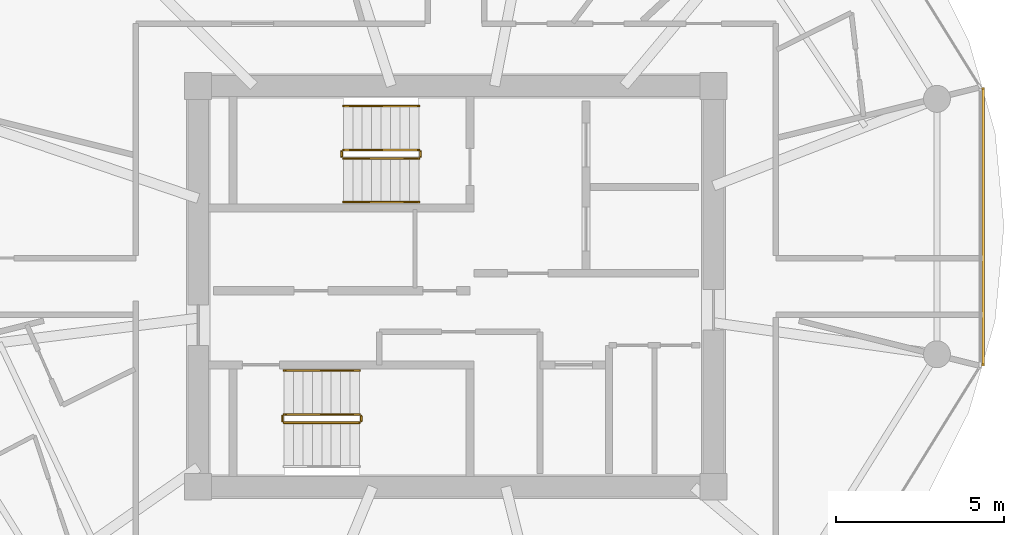
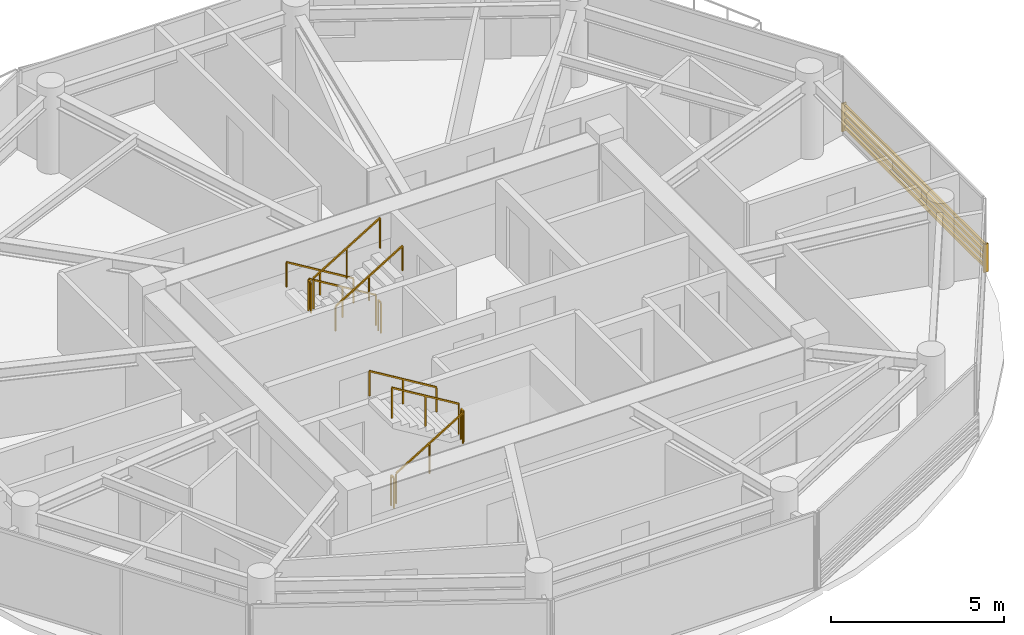
# One storey, part 21 of 22: 11 railings, 1 shading device.
"""IFC4 building model written with IfcOpenShell, lengths in metres."""

import ifcopenshell
import ifcopenshell.guid

model = None  # the IFC model being written
_history = None  # IfcOwnerHistory: only IFC2X3 demands one
_inside = {}  # id of a spatial element -> (the spatial element, [elements in it])
_under = {}  # id of a project, library or spatial element -> (it, [spatial elements below it])
_declared = {}  # id of a project -> (the project, [libraries it declares])
_typed = {}  # id of a type object -> (the type object, [elements of that type])
_made_of = {}  # id of a material, layer set ... -> (it, [elements and type objects made of it])


def new_model(schema):
    """Start an empty IFC model of exactly this schema.

    Asked for "IFC4X3", IfcOpenShell would pick the latest addendum, in which some entities
    have other attributes; the version numbers below select the first issue.
    IFC2X3 requires an IfcOwnerHistory on every rooted entity: one is made here for all.
    """
    global model, _history
    if schema == "IFC4X3":
        model = ifcopenshell.file(schema_version=(4, 3, 0, 0))
    else:
        model = ifcopenshell.file(schema=schema)
    _inside.clear()
    _under.clear()
    _declared.clear()
    _typed.clear()
    _made_of.clear()
    _history = None
    if model.schema == "IFC2X3":
        org = make("IfcOrganization", Name="unknown")
        user = make(
            "IfcPersonAndOrganization",
            ThePerson=make("IfcPerson", FamilyName="unknown"),
            TheOrganization=org,
        )
        app = make(
            "IfcApplication",
            ApplicationDeveloper=org,
            Version="unknown",
            ApplicationFullName="unknown",
            ApplicationIdentifier="unknown",
        )
        _history = make(
            "IfcOwnerHistory",
            OwningUser=user,
            OwningApplication=app,
            ChangeAction="ADDED",
            CreationDate=0,
        )
    return model


def make(cls, **values):
    """One entity of the class cls with the attributes given. An attribute that is None is left unset."""
    return model.create_entity(
        cls, **{name: value for name, value in values.items() if value is not None}
    )


def rooted(cls, **values):
    """An entity with a GlobalId (a new one), such as an element, a storey or a relation."""
    return make(cls, GlobalId=ifcopenshell.guid.new(), OwnerHistory=_history, **values)


def si_unit(unit_type, name, prefix=None):
    """IfcSIUnit, for example si_unit("LENGTHUNIT", "METRE", prefix="MILLI")."""
    return make("IfcSIUnit", UnitType=unit_type, Prefix=prefix, Name=name)


def assignment(units):
    """IfcUnitAssignment: the units of a project."""
    return None if units is None else make("IfcUnitAssignment", Units=units)


def point(xyz):
    """IfcCartesianPoint."""
    return None if xyz is None else make("IfcCartesianPoint", Coordinates=xyz)


def direction(xyz):
    """IfcDirection."""
    return None if xyz is None else make("IfcDirection", DirectionRatios=xyz)


def frame(location, z_axis=None, x_axis=None):
    """IfcAxis2Placement3D, a coordinate frame: its origin and axes. An axis left out is left unset."""
    return make(
        "IfcAxis2Placement3D",
        Location=point(location),
        Axis=direction(z_axis),
        RefDirection=direction(x_axis),
    )


def frame_2d(location, x_axis=None):
    """IfcAxis2Placement2D, a coordinate frame in the plane: its origin and x axis."""
    return make(
        "IfcAxis2Placement2D", Location=point(location), RefDirection=direction(x_axis)
    )


def origin():
    """The frame at (0, 0, 0) with its axes left unset."""
    return frame((0.0, 0.0, 0.0))


def origin_2d():
    """The frame at (0, 0) in the plane with its x axis left unset."""
    return frame_2d((0.0, 0.0))


def place(relative_to, where):
    """IfcLocalPlacement: puts the frame where relative to a parent placement (None: the world)."""
    return make(
        "IfcLocalPlacement", PlacementRelTo=relative_to, RelativePlacement=where
    )


def context(
    kind, dimensions, precision=None, world=None, true_north=None, identifier=None
):
    """IfcGeometricRepresentationContext, for example the 3D "Model" context."""
    return make(
        "IfcGeometricRepresentationContext",
        ContextIdentifier=identifier,
        ContextType=kind,
        CoordinateSpaceDimension=dimensions,
        Precision=precision,
        WorldCoordinateSystem=world,
        TrueNorth=true_north,
    )


def subcontext(parent, identifier, kind, view, scale=None):
    """IfcGeometricRepresentationSubContext, for example "Body" below "Model"."""
    return make(
        "IfcGeometricRepresentationSubContext",
        ContextIdentifier=identifier,
        ContextType=kind,
        ParentContext=parent,
        TargetScale=scale,
        TargetView=view,
    )


def project(units=None, contexts=None):
    """IfcProject with its units and contexts."""
    return rooted(
        "IfcProject",
        Name="project",
        RepresentationContexts=contexts,
        UnitsInContext=assignment(units),
    )


def spatial(cls, under=None, at=None, **own):
    """A site, building, storey or space (cls), placed at a placement, below another one or the project."""
    s = rooted(cls, ObjectPlacement=at, **own)
    if under is not None:
        _under.setdefault(under.id(), (under, []))[1].append(s)
    return s


def profile(cls, at=None, kind="AREA", **sizes):
    """A parametric profile (cls). Its sizes go by their IFC names, for example OverallWidth=200.0."""
    return make(cls, ProfileType=kind, Position=at, **sizes)


def rectangle(**sizes):
    """IfcRectangleProfileDef."""
    return profile("IfcRectangleProfileDef", **sizes)


def extrude(swept, where, along, depth):
    """IfcExtrudedAreaSolid: the profile swept, set in the frame where, extruded along a direction by depth."""
    return make(
        "IfcExtrudedAreaSolid",
        SweptArea=swept,
        Position=where,
        ExtrudedDirection=direction(along),
        Depth=depth,
    )


def shape(context_of_items, identifier, shape_type, items):
    """IfcShapeRepresentation: the items that make up one representation, for example the "Body"."""
    return make(
        "IfcShapeRepresentation",
        ContextOfItems=context_of_items,
        RepresentationIdentifier=identifier,
        RepresentationType=shape_type,
        Items=items,
    )


def source(mapping_origin, context_of_items, identifier, shape_type, items):
    """IfcRepresentationMap: a shape defined once, which mapped items show again and again."""
    return make(
        "IfcRepresentationMap",
        MappingOrigin=mapping_origin,
        MappedRepresentation=shape(context_of_items, identifier, shape_type, items),
    )


def transform(
    local_origin,
    x_axis=None,
    y_axis=None,
    z_axis=None,
    scale=None,
    scale2=None,
    scale3=None,
    uniform=True,
):
    """IfcCartesianTransformationOperator3D, or its non-uniform kind. x_axis, y_axis, z_axis: its Axis1, 2, 3."""
    if uniform:
        return make(
            "IfcCartesianTransformationOperator3D",
            Axis1=direction(x_axis),
            Axis2=direction(y_axis),
            LocalOrigin=point(local_origin),
            Scale=scale,
            Axis3=direction(z_axis),
        )
    return make(
        "IfcCartesianTransformationOperator3DnonUniform",
        Axis1=direction(x_axis),
        Axis2=direction(y_axis),
        LocalOrigin=point(local_origin),
        Scale=scale,
        Axis3=direction(z_axis),
        Scale2=scale2,
        Scale3=scale3,
    )


def mapped(mapping_source, mapping_target):
    """IfcMappedItem: shows the shape of a source again, moved by a transform."""
    return make(
        "IfcMappedItem", MappingSource=mapping_source, MappingTarget=mapping_target
    )


def material(Name=None, Category=None):
    """IfcMaterial."""
    return make("IfcMaterial", Name=Name, Category=Category)


def made_of(thing, what):
    """Note that an element or type object is made of a material, layer set ...; save() writes the relation."""
    if what is not None:
        _made_of.setdefault(what.id(), (what, []))[1].append(thing)
    return thing


def type_object(cls, material=None, **own):
    """A type object (cls), such as IfcWallType, which elements share."""
    return made_of(rooted(cls, **own), material)


def type_shapes(of_type, sources):
    """Give a type object the sources (RepresentationMaps) that its elements show as mapped items."""
    of_type.RepresentationMaps = sources


def element(
    cls,
    number,
    at=None,
    inside=None,
    cuts=None,
    type_object=None,
    material=None,
    context=None,
    identifier="Body",
    shape_type=None,
    held_by="IfcProductDefinitionShape",
    body=None,
    shapes=None,
    **own,
):
    """One element of the class cls, such as IfcWall. Its Tag is "e" and its number.

    at: its placement. inside: the storey or other place that contains it. cuts: it is an
    opening in that element (IfcRelVoidsElement). A single representation is given by context,
    identifier, shape_type and body (its items); several are given by shapes. held_by: the class
    of the entity that holds the representations. save() writes the other relations.
    """
    e = rooted(cls, Tag="e%d" % number, ObjectPlacement=at, **own)
    if body is not None:
        shapes = [shape(context, identifier, shape_type, body)]
    if shapes is not None:
        e.Representation = make(held_by, Representations=shapes)
    if inside is not None:
        _inside.setdefault(inside.id(), (inside, []))[1].append(e)
    if cuts is not None:
        rooted(
            "IfcRelVoidsElement", RelatingBuildingElement=cuts, RelatedOpeningElement=e
        )
    if type_object is not None:
        _typed.setdefault(type_object.id(), (type_object, []))[1].append(e)
    return made_of(e, material)


def aggregate(whole, parts):
    """IfcRelAggregates: a whole, such as a stair, and the parts it consists of."""
    return rooted("IfcRelAggregates", RelatingObject=whole, RelatedObjects=parts)


def save(model, path):
    """Write the relations noted so far, then the file.

    IfcRelAggregates (storeys below a building ...), IfcRelContainedInSpatialStructure (elements
    in a storey), IfcRelDefinesByType, IfcRelAssociatesMaterial and IfcRelDeclares: one each for
    every whole, place, type object, material and project.
    """
    for whole, parts in _under.values():
        aggregate(whole, parts)
    for where, things in _inside.values():
        rooted(
            "IfcRelContainedInSpatialStructure",
            RelatedElements=things,
            RelatingStructure=where,
        )
    for kind, things in _typed.values():
        rooted("IfcRelDefinesByType", RelatedObjects=things, RelatingType=kind)
    for what, things in _made_of.values():
        rooted("IfcRelAssociatesMaterial", RelatedObjects=things, RelatingMaterial=what)
    for by, libraries in _declared.values():
        rooted("IfcRelDeclares", RelatingContext=by, RelatedDefinitions=libraries)
    model.write(path)


model = new_model("IFC4")

# Units and contexts
model_context = context("Model", 3, precision=1e-05, world=origin(), true_north=direction((0.0, 1.0)))
body_context = subcontext(model_context, "Body", "Model", "MODEL_VIEW")
ifc_project = project(units=[si_unit("LENGTHUNIT", "METRE"), si_unit("AREAUNIT", "SQUARE_METRE"), si_unit("VOLUMEUNIT", "CUBIC_METRE"), si_unit("PLANEANGLEUNIT", "RADIAN"), si_unit("MASSUNIT", "GRAM", prefix="KILO")], contexts=[model_context])

# Site, building, storey
site_placement = place(None, origin())
site = spatial("IfcSite", under=ifc_project, at=site_placement, CompositionType="ELEMENT")
building_placement = place(site_placement, origin())
building = spatial("IfcBuilding", under=site, at=building_placement, Name="Norrkilde Senior Care Towers", CompositionType="ELEMENT")
storey_placement = place(building_placement, frame((0.0, 0.0, 183.10009765625)))
storey = spatial("IfcBuildingStorey", under=building, at=storey_placement, Name="L57", CompositionType="ELEMENT", Elevation=183.10009765625)

# Railings
ifc_material_1 = material(Name="Stainless Steel", Category="steel")
railing_type_1 = type_object("IfcRailingType", Name="Stair and Terrace Guardrail 1100", PredefinedType="GUARDRAIL", material=ifc_material_1)
railing_1_placement = place(storey_placement, frame((26.89990234375, 4.050048828125, 0.16943359375)))
element("IfcRailing", 1, at=railing_1_placement, inside=storey, type_object=railing_type_1, Name="L57 ST-E1 stair guard 1", PredefinedType="GUARDRAIL", context=body_context, shape_type="SweptSolid", body=[
    extrude(rectangle(XDim=0.048095703125, YDim=0.048095703125, at=origin_2d()), frame((0.0, 0.0, 1.076171875), z_axis=(-0.855553338991, 0.0, 0.51771467445), x_axis=(0.0, -1.0, 0.0)), (0.0, 0.0, 1.0), 2.6181640625),
    extrude(rectangle(XDim=0.0419921875, YDim=0.0419921875, at=origin_2d()), origin(), (0.0, 0.0, 1.0), 1.050048828125),
    extrude(rectangle(XDim=0.0419921875, YDim=0.0419921875, at=origin_2d()), frame((-1.1201171875, 0.0, 0.677734375)), (0.0, 0.0, 1.0), 1.050048828125),
    extrude(rectangle(XDim=0.0419921875, YDim=0.0419921875, at=origin_2d()), frame((-2.239990234375, 0.0, 1.35546875)), (0.0, 0.0, 1.0), 1.050048828125),
])
railing_2_placement = place(storey_placement, frame((24.610107421875, 4.0, 1.52490234375)))
element("IfcRailing", 2, at=railing_2_placement, inside=storey, type_object=railing_type_1, Name="L57 ST-E1 stair guard 2", PredefinedType="GUARDRAIL", context=body_context, shape_type="SweptSolid", body=[
    extrude(rectangle(XDim=0.048095703125, YDim=0.048095703125, at=origin_2d()), frame((0.0, 0.0, 1.076171875), z_axis=(0.0, -1.0, 0.0), x_axis=(1.0, 0.0, 0.0)), (0.0, 0.0, 1.0), 0.14990234375),
    extrude(rectangle(XDim=0.0419921875, YDim=0.0419921875, at=origin_2d()), origin(), (0.0, 0.0, 1.0), 1.050048828125),
    extrude(rectangle(XDim=0.0419921875, YDim=0.0419921875, at=origin_2d()), frame((0.0, -0.14990234375, 0.0)), (0.0, 0.0, 1.0), 1.050048828125),
])
railing_3_placement = place(storey_placement, frame((24.659912109375, 3.800048828125, 1.6943359375)))
element("IfcRailing", 3, at=railing_3_placement, inside=storey, type_object=railing_type_1, Name="L57 ST-E1 stair guard 3", PredefinedType="GUARDRAIL", context=body_context, shape_type="SweptSolid", body=[
    extrude(rectangle(XDim=0.048095703125, YDim=0.048095703125, at=origin_2d()), frame((0.0, 0.0, 1.076171875), z_axis=(0.855553338991, 0.0, 0.51771467445), x_axis=(0.0, 1.0, 0.0)), (0.0, 0.0, 1.0), 2.6181640625),
    extrude(rectangle(XDim=0.0419921875, YDim=0.0419921875, at=origin_2d()), origin(), (0.0, 0.0, 1.0), 1.050048828125),
    extrude(rectangle(XDim=0.0419921875, YDim=0.0419921875, at=origin_2d()), frame((1.1201171875, 0.0, 0.677734375)), (0.0, 0.0, 1.0), 1.050048828125),
    extrude(rectangle(XDim=0.0419921875, YDim=0.0419921875, at=origin_2d()), frame((2.239990234375, 0.0, 1.35546875)), (0.0, 0.0, 1.0), 1.050048828125),
])
railing_4_placement = place(storey_placement, frame((26.949951171875, 4.0, 0.0)))
element("IfcRailing", 4, at=railing_4_placement, inside=storey, type_object=railing_type_1, Name="L57 ST-E1 stair guard 4", PredefinedType="GUARDRAIL", context=body_context, shape_type="SweptSolid", body=[
    extrude(rectangle(XDim=0.048095703125, YDim=0.048095703125, at=origin_2d()), frame((0.0, 0.0, 1.076171875), z_axis=(0.0, -1.0, 0.0), x_axis=(1.0, 0.0, 0.0)), (0.0, 0.0, 1.0), 0.14990234375),
    extrude(rectangle(XDim=0.0419921875, YDim=0.0419921875, at=origin_2d()), origin(), (0.0, 0.0, 1.0), 1.050048828125),
    extrude(rectangle(XDim=0.0419921875, YDim=0.0419921875, at=origin_2d()), frame((0.0, -0.14990234375, 0.0)), (0.0, 0.0, 1.0), 1.050048828125),
])
railing_5_placement = place(storey_placement, frame((22.89990234375, -4.050048828125, 0.16943359375)))
element("IfcRailing", 5, at=railing_5_placement, inside=storey, type_object=railing_type_1, Name="L57 ST-E2 stair guard 1", PredefinedType="GUARDRAIL", context=body_context, shape_type="SweptSolid", body=[
    extrude(rectangle(XDim=0.048095703125, YDim=0.048095703125, at=origin_2d()), frame((0.0, 0.0, 1.076171875), z_axis=(0.855553338991, 0.0, 0.51771467445), x_axis=(0.0, 1.0, 0.0)), (0.0, 0.0, 1.0), 2.6181640625),
    extrude(rectangle(XDim=0.0419921875, YDim=0.0419921875, at=origin_2d()), origin(), (0.0, 0.0, 1.0), 1.050048828125),
    extrude(rectangle(XDim=0.0419921875, YDim=0.0419921875, at=origin_2d()), frame((1.1201171875, 0.0, 0.677734375)), (0.0, 0.0, 1.0), 1.050048828125),
    extrude(rectangle(XDim=0.0419921875, YDim=0.0419921875, at=origin_2d()), frame((2.239990234375, 0.0, 1.35546875)), (0.0, 0.0, 1.0), 1.050048828125),
])
railing_6_placement = place(storey_placement, frame((25.18994140625, -4.0, 1.52490234375)))
element("IfcRailing", 6, at=railing_6_placement, inside=storey, type_object=railing_type_1, Name="L57 ST-E2 stair guard 2", PredefinedType="GUARDRAIL", context=body_context, shape_type="SweptSolid", body=[
    extrude(rectangle(XDim=0.048095703125, YDim=0.048095703125, at=origin_2d()), frame((0.0, 0.0, 1.076171875), z_axis=(0.0, 1.0, 0.0), x_axis=(-1.0, 0.0, 0.0)), (0.0, 0.0, 1.0), 0.14990234375),
    extrude(rectangle(XDim=0.0419921875, YDim=0.0419921875, at=origin_2d()), origin(), (0.0, 0.0, 1.0), 1.050048828125),
    extrude(rectangle(XDim=0.0419921875, YDim=0.0419921875, at=origin_2d()), frame((0.0, 0.14990234375, 0.0)), (0.0, 0.0, 1.0), 1.050048828125),
])
railing_7_placement = place(storey_placement, frame((25.139892578125, -3.800048828125, 1.6943359375)))
element("IfcRailing", 7, at=railing_7_placement, inside=storey, type_object=railing_type_1, Name="L57 ST-E2 stair guard 3", PredefinedType="GUARDRAIL", context=body_context, shape_type="SweptSolid", body=[
    extrude(rectangle(XDim=0.048095703125, YDim=0.048095703125, at=origin_2d()), frame((0.0, 0.0, 1.076171875), z_axis=(-0.855553338991, 0.0, 0.51771467445), x_axis=(0.0, -1.0, 0.0)), (0.0, 0.0, 1.0), 2.6181640625),
    extrude(rectangle(XDim=0.0419921875, YDim=0.0419921875, at=origin_2d()), origin(), (0.0, 0.0, 1.0), 1.050048828125),
    extrude(rectangle(XDim=0.0419921875, YDim=0.0419921875, at=origin_2d()), frame((-1.1201171875, 0.0, 0.677734375)), (0.0, 0.0, 1.0), 1.050048828125),
    extrude(rectangle(XDim=0.0419921875, YDim=0.0419921875, at=origin_2d()), frame((-2.239990234375, 0.0, 1.35546875)), (0.0, 0.0, 1.0), 1.050048828125),
])
railing_8_placement = place(storey_placement, frame((22.85009765625, -4.0, 0.0)))
element("IfcRailing", 8, at=railing_8_placement, inside=storey, type_object=railing_type_1, Name="L57 ST-E2 stair guard 4", PredefinedType="GUARDRAIL", context=body_context, shape_type="SweptSolid", body=[
    extrude(rectangle(XDim=0.048095703125, YDim=0.048095703125, at=origin_2d()), frame((0.0, 0.0, 1.076171875), z_axis=(0.0, 1.0, 0.0), x_axis=(-1.0, 0.0, 0.0)), (0.0, 0.0, 1.0), 0.14990234375),
    extrude(rectangle(XDim=0.0419921875, YDim=0.0419921875, at=origin_2d()), origin(), (0.0, 0.0, 1.0), 1.050048828125),
    extrude(rectangle(XDim=0.0419921875, YDim=0.0419921875, at=origin_2d()), frame((0.0, 0.14990234375, 0.0)), (0.0, 0.0, 1.0), 1.050048828125),
])
ifc_material_2 = material(Name="Nordic Ash Timber", Category="wood")
railing_type_2 = type_object("IfcRailingType", Name="Wall and Stair Handrail 900", PredefinedType="HANDRAIL", material=ifc_material_2)
railing_9_placement = place(storey_placement, frame((26.89990234375, 5.35009765625, 0.16943359375)))
element("IfcRailing", 9, at=railing_9_placement, inside=storey, type_object=railing_type_2, Name="L57 ST-E1 stair handrail 1", PredefinedType="HANDRAIL", context=body_context, shape_type="SweptSolid", body=[
    extrude(rectangle(XDim=0.048095703125, YDim=0.048095703125, at=origin_2d()), frame((0.0, 0.0, 0.8759765625), z_axis=(-0.855553338991, 0.0, 0.51771467445), x_axis=(0.0, -1.0, 0.0)), (0.0, 0.0, 1.0), 2.6181640625),
    extrude(rectangle(XDim=0.0419921875, YDim=0.0419921875, at=origin_2d()), origin(), (0.0, 0.0, 1.0), 0.849853515625),
    extrude(rectangle(XDim=0.0419921875, YDim=0.0419921875, at=origin_2d()), frame((-1.1201171875, 0.0, 0.677734375)), (0.0, 0.0, 1.0), 0.849853515625),
    extrude(rectangle(XDim=0.0419921875, YDim=0.0419921875, at=origin_2d()), frame((-2.239990234375, 0.0, 1.35546875)), (0.0, 0.0, 1.0), 0.849853515625),
])
railing_10_placement = place(storey_placement, frame((24.659912109375, 2.5, 1.6943359375)))
element("IfcRailing", 10, at=railing_10_placement, inside=storey, type_object=railing_type_2, Name="L57 ST-E1 stair handrail 2", PredefinedType="HANDRAIL", context=body_context, shape_type="SweptSolid", body=[
    extrude(rectangle(XDim=0.048095703125, YDim=0.048095703125, at=origin_2d()), frame((0.0, 0.0, 0.8759765625), z_axis=(0.855553338991, 0.0, 0.51771467445), x_axis=(0.0, 1.0, 0.0)), (0.0, 0.0, 1.0), 2.6181640625),
    extrude(rectangle(XDim=0.0419921875, YDim=0.0419921875, at=origin_2d()), origin(), (0.0, 0.0, 1.0), 0.849853515625),
    extrude(rectangle(XDim=0.0419921875, YDim=0.0419921875, at=origin_2d()), frame((1.1201171875, 0.0, 0.677734375)), (0.0, 0.0, 1.0), 0.849853515625),
    extrude(rectangle(XDim=0.0419921875, YDim=0.0419921875, at=origin_2d()), frame((2.239990234375, 0.0, 1.35546875)), (0.0, 0.0, 1.0), 0.849853515625),
])
railing_11_placement = place(storey_placement, frame((25.139892578125, -2.5, 1.6943359375)))
element("IfcRailing", 11, at=railing_11_placement, inside=storey, type_object=railing_type_2, Name="L57 ST-E2 stair handrail 2", PredefinedType="HANDRAIL", context=body_context, shape_type="SweptSolid", body=[
    extrude(rectangle(XDim=0.048095703125, YDim=0.048095703125, at=origin_2d()), frame((0.0, 0.0, 0.8759765625), z_axis=(-0.855553338991, 0.0, 0.51771467445), x_axis=(0.0, -1.0, 0.0)), (0.0, 0.0, 1.0), 2.6181640625),
    extrude(rectangle(XDim=0.0419921875, YDim=0.0419921875, at=origin_2d()), origin(), (0.0, 0.0, 1.0), 0.849853515625),
    extrude(rectangle(XDim=0.0419921875, YDim=0.0419921875, at=origin_2d()), frame((-1.1201171875, 0.0, 0.677734375)), (0.0, 0.0, 1.0), 0.849853515625),
    extrude(rectangle(XDim=0.0419921875, YDim=0.0419921875, at=origin_2d()), frame((-2.239990234375, 0.0, 1.35546875)), (0.0, 0.0, 1.0), 0.849853515625),
])

# Shading device
ifc_material_3 = material(Name="Architectural Terracotta", Category="masonry")
shading_device_type = type_object("IfcShadingDeviceType", Name="Horizontal Terracotta Baguette Rack", PredefinedType="USERDEFINED", material=ifc_material_3)
shared_shape = source(origin(), body_context, "Body", "SweptSolid", [
    extrude(rectangle(XDim=0.070068359375, YDim=0.110107421875, at=origin_2d()), frame((0.0, 0.090087890625, 0.125), z_axis=(1.0, 0.0, 0.0), x_axis=(0.0, 1.0, 0.0)), (0.0, 0.0, 1.0), 8.27197265625),
    extrude(rectangle(XDim=0.070068359375, YDim=0.110107421875, at=origin_2d()), frame((0.0, 0.090087890625, 0.375), z_axis=(1.0, 0.0, 0.0), x_axis=(0.0, 1.0, 0.0)), (0.0, 0.0, 1.0), 8.27197265625),
    extrude(rectangle(XDim=0.070068359375, YDim=0.110107421875, at=origin_2d()), frame((0.0, 0.090087890625, 0.625), z_axis=(1.0, 0.0, 0.0), x_axis=(0.0, 1.0, 0.0)), (0.0, 0.0, 1.0), 8.27197265625),
    extrude(rectangle(XDim=0.070068359375, YDim=0.110107421875, at=origin_2d()), frame((0.0, 0.090087890625, 0.875), z_axis=(1.0, 0.0, 0.0), x_axis=(0.0, 1.0, 0.0)), (0.0, 0.0, 1.0), 8.27197265625),
    extrude(rectangle(XDim=0.050048828125, YDim=0.1552734375, at=origin_2d()), frame((0.02490234375, 0.047607421875, 0.0)), (0.0, 0.0, 1.0), 1.0),
    extrude(rectangle(XDim=0.050048828125, YDim=0.1552734375, at=origin_2d()), frame((8.2470703125, 0.047607421875, 0.0)), (0.0, 0.0, 1.0), 1.0),
])
type_shapes(shading_device_type, [shared_shape])
shading_device_placement = place(storey_placement, frame((43.569580078125, 5.911376953125, 0.079833984375), z_axis=(0.0, 0.0, 1.0), x_axis=(0.0, -1.0, 0.0)))
element("IfcShadingDevice", 12, at=shading_device_placement, inside=storey, type_object=shading_device_type, Name="L57 Drum E Terracotta Baguette Screen 11", ObjectType="BAGUETTE", PredefinedType="USERDEFINED", context=body_context, shape_type="MappedRepresentation", body=[
    mapped(shared_shape, transform((0.0, 0.0, 0.0), x_axis=(1.0, 0.0, 0.0), y_axis=(0.0, 1.0, 0.0), z_axis=(0.0, 0.0, 1.0), scale=1.0)),
])

save(model, "model.ifc")
